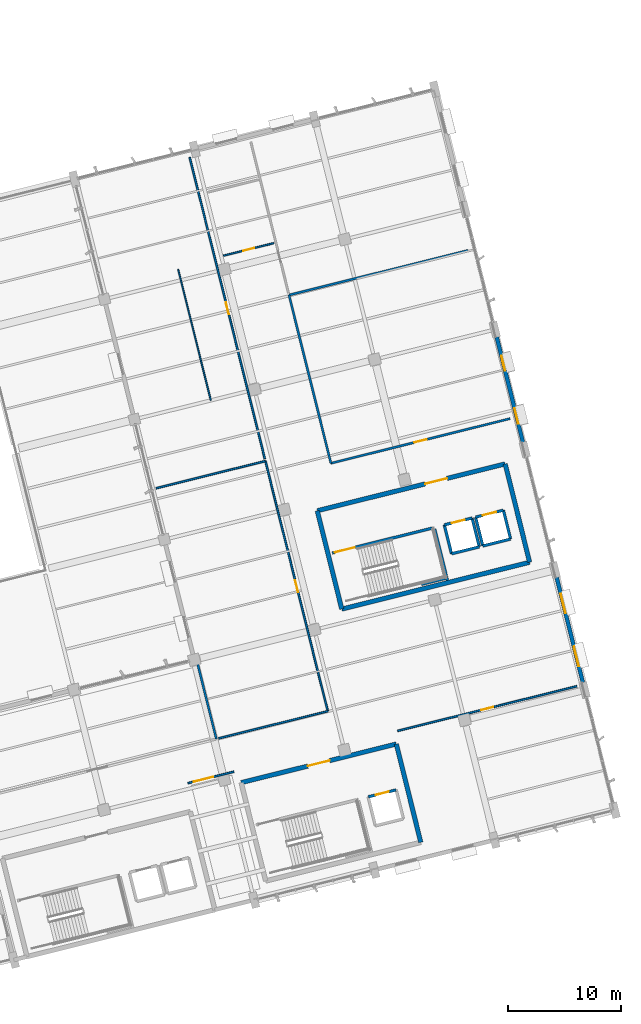
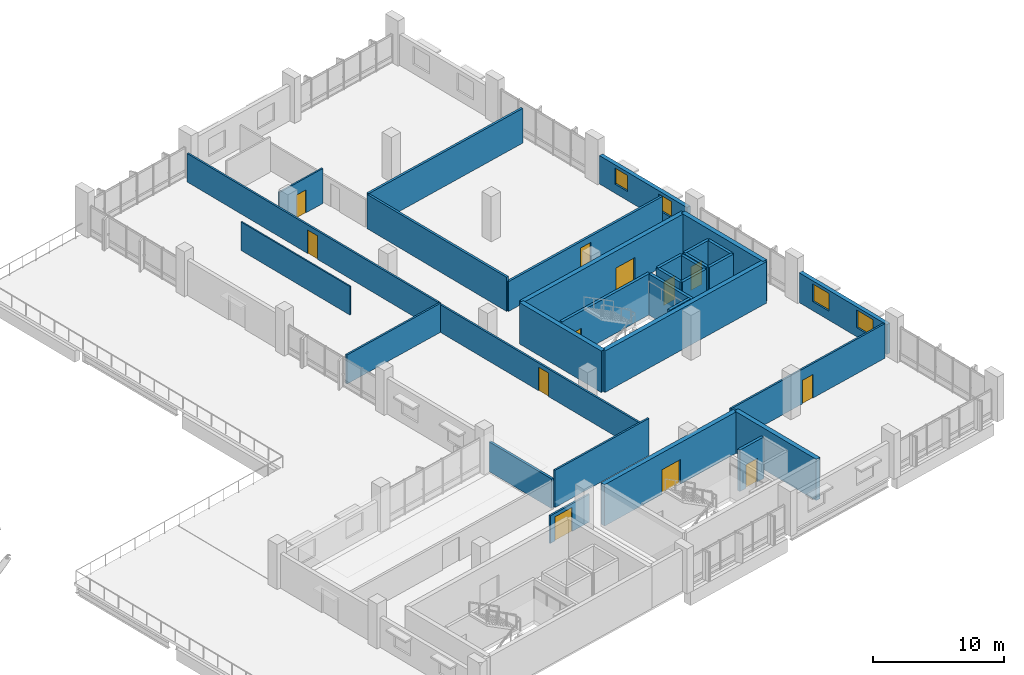
# One storey, part 68 of 75: 32 walls, 12 doors, 4 windows, 16 openings.
"""IFC4 building model written with IfcOpenShell, lengths in metres."""

import ifcopenshell
import ifcopenshell.guid

model = None  # the IFC model being written
_history = None  # IfcOwnerHistory: only IFC2X3 demands one
_inside = {}  # id of a spatial element -> (the spatial element, [elements in it])
_under = {}  # id of a project, library or spatial element -> (it, [spatial elements below it])
_declared = {}  # id of a project -> (the project, [libraries it declares])
_typed = {}  # id of a type object -> (the type object, [elements of that type])
_made_of = {}  # id of a material, layer set ... -> (it, [elements and type objects made of it])


def new_model(schema):
    """Start an empty IFC model of exactly this schema.

    Asked for "IFC4X3", IfcOpenShell would pick the latest addendum, in which some entities
    have other attributes; the version numbers below select the first issue.
    IFC2X3 requires an IfcOwnerHistory on every rooted entity: one is made here for all.
    """
    global model, _history
    if schema == "IFC4X3":
        model = ifcopenshell.file(schema_version=(4, 3, 0, 0))
    else:
        model = ifcopenshell.file(schema=schema)
    _inside.clear()
    _under.clear()
    _declared.clear()
    _typed.clear()
    _made_of.clear()
    _history = None
    if model.schema == "IFC2X3":
        org = make("IfcOrganization", Name="unknown")
        user = make(
            "IfcPersonAndOrganization",
            ThePerson=make("IfcPerson", FamilyName="unknown"),
            TheOrganization=org,
        )
        app = make(
            "IfcApplication",
            ApplicationDeveloper=org,
            Version="unknown",
            ApplicationFullName="unknown",
            ApplicationIdentifier="unknown",
        )
        _history = make(
            "IfcOwnerHistory",
            OwningUser=user,
            OwningApplication=app,
            ChangeAction="ADDED",
            CreationDate=0,
        )
    return model


def make(cls, **values):
    """One entity of the class cls with the attributes given. An attribute that is None is left unset."""
    return model.create_entity(
        cls, **{name: value for name, value in values.items() if value is not None}
    )


def rooted(cls, **values):
    """An entity with a GlobalId (a new one), such as an element, a storey or a relation."""
    return make(cls, GlobalId=ifcopenshell.guid.new(), OwnerHistory=_history, **values)


def si_unit(unit_type, name, prefix=None):
    """IfcSIUnit, for example si_unit("LENGTHUNIT", "METRE", prefix="MILLI")."""
    return make("IfcSIUnit", UnitType=unit_type, Prefix=prefix, Name=name)


def assignment(units):
    """IfcUnitAssignment: the units of a project."""
    return None if units is None else make("IfcUnitAssignment", Units=units)


def point(xyz):
    """IfcCartesianPoint."""
    return None if xyz is None else make("IfcCartesianPoint", Coordinates=xyz)


def direction(xyz):
    """IfcDirection."""
    return None if xyz is None else make("IfcDirection", DirectionRatios=xyz)


def frame(location, z_axis=None, x_axis=None):
    """IfcAxis2Placement3D, a coordinate frame: its origin and axes. An axis left out is left unset."""
    return make(
        "IfcAxis2Placement3D",
        Location=point(location),
        Axis=direction(z_axis),
        RefDirection=direction(x_axis),
    )


def frame_2d(location, x_axis=None):
    """IfcAxis2Placement2D, a coordinate frame in the plane: its origin and x axis."""
    return make(
        "IfcAxis2Placement2D", Location=point(location), RefDirection=direction(x_axis)
    )


def origin():
    """The frame at (0, 0, 0) with its axes left unset."""
    return frame((0.0, 0.0, 0.0))


def place(relative_to, where):
    """IfcLocalPlacement: puts the frame where relative to a parent placement (None: the world)."""
    return make(
        "IfcLocalPlacement", PlacementRelTo=relative_to, RelativePlacement=where
    )


def context(
    kind, dimensions, precision=None, world=None, true_north=None, identifier=None
):
    """IfcGeometricRepresentationContext, for example the 3D "Model" context."""
    return make(
        "IfcGeometricRepresentationContext",
        ContextIdentifier=identifier,
        ContextType=kind,
        CoordinateSpaceDimension=dimensions,
        Precision=precision,
        WorldCoordinateSystem=world,
        TrueNorth=true_north,
    )


def subcontext(parent, identifier, kind, view, scale=None):
    """IfcGeometricRepresentationSubContext, for example "Body" below "Model"."""
    return make(
        "IfcGeometricRepresentationSubContext",
        ContextIdentifier=identifier,
        ContextType=kind,
        ParentContext=parent,
        TargetScale=scale,
        TargetView=view,
    )


def project(units=None, contexts=None):
    """IfcProject with its units and contexts."""
    return rooted(
        "IfcProject",
        Name="project",
        RepresentationContexts=contexts,
        UnitsInContext=assignment(units),
    )


def spatial(cls, under=None, at=None, **own):
    """A site, building, storey or space (cls), placed at a placement, below another one or the project."""
    s = rooted(cls, ObjectPlacement=at, **own)
    if under is not None:
        _under.setdefault(under.id(), (under, []))[1].append(s)
    return s


def profile(cls, at=None, kind="AREA", **sizes):
    """A parametric profile (cls). Its sizes go by their IFC names, for example OverallWidth=200.0."""
    return make(cls, ProfileType=kind, Position=at, **sizes)


def rectangle(**sizes):
    """IfcRectangleProfileDef."""
    return profile("IfcRectangleProfileDef", **sizes)


def extrude(swept, where, along, depth):
    """IfcExtrudedAreaSolid: the profile swept, set in the frame where, extruded along a direction by depth."""
    return make(
        "IfcExtrudedAreaSolid",
        SweptArea=swept,
        Position=where,
        ExtrudedDirection=direction(along),
        Depth=depth,
    )


def shape(context_of_items, identifier, shape_type, items):
    """IfcShapeRepresentation: the items that make up one representation, for example the "Body"."""
    return make(
        "IfcShapeRepresentation",
        ContextOfItems=context_of_items,
        RepresentationIdentifier=identifier,
        RepresentationType=shape_type,
        Items=items,
    )


def material(Name=None, Category=None):
    """IfcMaterial."""
    return make("IfcMaterial", Name=Name, Category=Category)


def layer(
    of_material, thickness, ventilated=None, Name=None, Category=None, Priority=None
):
    """IfcMaterialLayer: one layer of a wall or slab, of a material (None: an air gap)."""
    return make(
        "IfcMaterialLayer",
        Material=of_material,
        LayerThickness=thickness,
        IsVentilated=ventilated,
        Name=Name,
        Category=Category,
        Priority=Priority,
    )


def layer_set(layers, Name=None):
    """IfcMaterialLayerSet."""
    return make("IfcMaterialLayerSet", MaterialLayers=layers, LayerSetName=Name)


def made_of(thing, what):
    """Note that an element or type object is made of a material, layer set ...; save() writes the relation."""
    if what is not None:
        _made_of.setdefault(what.id(), (what, []))[1].append(thing)
    return thing


def type_object(cls, material=None, **own):
    """A type object (cls), such as IfcWallType, which elements share."""
    return made_of(rooted(cls, **own), material)


def element(
    cls,
    number,
    at=None,
    inside=None,
    cuts=None,
    type_object=None,
    material=None,
    context=None,
    identifier="Body",
    shape_type=None,
    held_by="IfcProductDefinitionShape",
    body=None,
    shapes=None,
    **own,
):
    """One element of the class cls, such as IfcWall. Its Tag is "e" and its number.

    at: its placement. inside: the storey or other place that contains it. cuts: it is an
    opening in that element (IfcRelVoidsElement). A single representation is given by context,
    identifier, shape_type and body (its items); several are given by shapes. held_by: the class
    of the entity that holds the representations. save() writes the other relations.
    """
    e = rooted(cls, Tag="e%d" % number, ObjectPlacement=at, **own)
    if body is not None:
        shapes = [shape(context, identifier, shape_type, body)]
    if shapes is not None:
        e.Representation = make(held_by, Representations=shapes)
    if inside is not None:
        _inside.setdefault(inside.id(), (inside, []))[1].append(e)
    if cuts is not None:
        rooted(
            "IfcRelVoidsElement", RelatingBuildingElement=cuts, RelatedOpeningElement=e
        )
    if type_object is not None:
        _typed.setdefault(type_object.id(), (type_object, []))[1].append(e)
    return made_of(e, material)


def fill(opening, filler):
    """IfcRelFillsElement: the door or window that sits in an opening."""
    return rooted(
        "IfcRelFillsElement",
        RelatingOpeningElement=opening,
        RelatedBuildingElement=filler,
    )


def aggregate(whole, parts):
    """IfcRelAggregates: a whole, such as a stair, and the parts it consists of."""
    return rooted("IfcRelAggregates", RelatingObject=whole, RelatedObjects=parts)


def save(model, path):
    """Write the relations noted so far, then the file.

    IfcRelAggregates (storeys below a building ...), IfcRelContainedInSpatialStructure (elements
    in a storey), IfcRelDefinesByType, IfcRelAssociatesMaterial and IfcRelDeclares: one each for
    every whole, place, type object, material and project.
    """
    for whole, parts in _under.values():
        aggregate(whole, parts)
    for where, things in _inside.values():
        rooted(
            "IfcRelContainedInSpatialStructure",
            RelatedElements=things,
            RelatingStructure=where,
        )
    for kind, things in _typed.values():
        rooted("IfcRelDefinesByType", RelatedObjects=things, RelatingType=kind)
    for what, things in _made_of.values():
        rooted("IfcRelAssociatesMaterial", RelatedObjects=things, RelatingMaterial=what)
    for by, libraries in _declared.values():
        rooted("IfcRelDeclares", RelatingContext=by, RelatedDefinitions=libraries)
    model.write(path)


model = new_model("IFC4")

# Units and contexts
model_context = context("Model", 3, precision=1e-05, world=origin(), true_north=direction((0.0, 1.0)))
body_context = subcontext(model_context, "Body", "Model", "MODEL_VIEW")
ifc_project = project(units=[si_unit("LENGTHUNIT", "METRE"), si_unit("AREAUNIT", "SQUARE_METRE"), si_unit("VOLUMEUNIT", "CUBIC_METRE"), si_unit("PLANEANGLEUNIT", "RADIAN"), si_unit("MASSUNIT", "GRAM", prefix="KILO")], contexts=[model_context])

# Site, building, storey
site_placement = place(None, origin())
site = spatial("IfcSite", under=ifc_project, at=site_placement, CompositionType="ELEMENT")
building_placement = place(site_placement, origin())
building = spatial("IfcBuilding", under=site, at=building_placement, Name="Khorjan Park Terminus", CompositionType="ELEMENT")
storey_placement = place(building_placement, frame((0.0, 0.0, 16.2)))
storey = spatial("IfcBuildingStorey", under=building, at=storey_placement, Name="L03", CompositionType="ELEMENT", Elevation=16.2)

# Walls
ifc_material_1 = material(Name="Concrete C50/60", Category="concrete")
ifc_layer_1 = layer(ifc_material_1, 0.4)
ifc_layer_set_1 = layer_set([ifc_layer_1], Name="Concrete C50/60")
wall_type_1 = type_object("IfcWallType", Name="CW-40", PredefinedType="SHEAR", material=ifc_layer_set_1)
wall_1_placement = place(storey_placement, frame((205.7973, 35.8328, 0.0), z_axis=(0.0, 0.0, 1.0), x_axis=(0.970295179998, 0.241924086589, 0.0)))
element("IfcWall", 1, at=wall_1_placement, inside=storey, type_object=wall_type_1, Name="Operations North-East Firefighting Core concrete shear wall CW-40 (L03-E1)", PredefinedType="SHEAR", context=body_context, shape_type="SweptSolid", body=[
    extrude(rectangle(XDim=17.2, YDim=0.4, at=frame_2d((8.6, 0.0))), origin(), (0.0, 0.0, 1.0), 3.87),
])
wall_2_placement = place(storey_placement, frame((222.4864, 39.9939, 0.0), z_axis=(0.0, 0.0, 1.0), x_axis=(-0.241923808098, 0.970295249435, 0.0)))
element("IfcWall", 2, at=wall_2_placement, inside=storey, type_object=wall_type_1, Name="Operations North-East Firefighting Core concrete shear wall CW-40 (L03-E2)", PredefinedType="SHEAR", context=body_context, shape_type="SweptSolid", body=[
    extrude(rectangle(XDim=8.9999, YDim=0.4, at=frame_2d((4.5, 0.0))), origin(), (0.0, 0.0, 1.0), 3.87),
])

# Wall, opening, door
wall_3_placement = place(storey_placement, frame((220.3091, 48.7265, 0.0), z_axis=(0.0, 0.0, 1.0), x_axis=(-0.970296544738, -0.241918612906, 0.0)))
wall_3 = element("IfcWall", 3, at=wall_3_placement, inside=storey, type_object=wall_type_1, Name="Operations North-East Firefighting Core concrete shear wall CW-40 (L03-E3)", PredefinedType="SHEAR", context=body_context, shape_type="SweptSolid", body=[
    extrude(rectangle(XDim=17.2, YDim=0.4, at=frame_2d((8.6, 0.0))), origin(), (0.0, 0.0, 1.0), 3.87),
])
opening_1_placement = place(wall_3_placement, frame((5.32, 0.0, 0.0)))
opening_1 = element("IfcOpeningElement", 4, at=opening_1_placement, cuts=wall_3, Name="Opening FD-20", PredefinedType="OPENING", context=body_context, shape_type="SweptSolid", body=[
    extrude(rectangle(XDim=2.0, YDim=2.3, at=frame_2d((1.0, 1.15))), frame((0.0, 0.21, 0.0), z_axis=(0.0, -1.0, 0.0), x_axis=(1.0, 0.0, 0.0)), (0.0, 0.0, 1.0), 0.42),
])
ifc_material_2 = material(Name="Fire-Rated Steel Double Door", Category="steel")
door_type_1 = type_object("IfcDoorType", Name="FD-20", OperationType="NOTDEFINED", PredefinedType="DOOR", material=ifc_material_2)
door_1_placement = place(opening_1_placement, origin())
door_1 = element("IfcDoor", 5, at=door_1_placement, inside=storey, type_object=door_type_1, Name="Operations North-East Firefighting Core fire-rated exit door FD-20 (L03)", OperationType="DOUBLE_DOOR_SINGLE_SWING", OverallHeight=2.3, OverallWidth=2.0, PredefinedType="DOOR", context=body_context, shape_type="SweptSolid", body=[
    extrude(rectangle(XDim=2.0, YDim=2.3, at=frame_2d((1.0, 1.15))), frame((0.0, 0.025, 0.0), z_axis=(0.0, -1.0, 0.0), x_axis=(1.0, 0.0, 0.0)), (0.0, 0.0, 1.0), 0.05),
])
fill(opening_1, door_1)

# Walls
for number, where, z_axis, x_axis, name in (
    (6, (203.62, 44.5655, 0.0), (0.0, 0.0, 1.0), (0.241921199913, -0.97029589973, 0.0), "Operations North-East Firefighting Core concrete shear wall CW-40 (L03-E4)"),
    (7, (212.8177, 15.1158, 0.0), (0.0, 0.0, 1.0), (-0.241921199913, 0.97029589973, 0.0), "Operations Central Command Core concrete shear wall CW-40 (L03-E2)"),
):
    element("IfcWall", number, at=place(storey_placement, frame(where, z_axis=z_axis, x_axis=x_axis)), inside=storey, type_object=wall_type_1, Name=name, PredefinedType="SHEAR", context=body_context, shape_type="SweptSolid", body=[
        extrude(rectangle(XDim=9.0, YDim=0.4, at=frame_2d((4.5, 0.0))), origin(), (0.0, 0.0, 1.0), 3.87),
    ])

# Wall, opening, door
wall_4_placement = place(storey_placement, frame((210.6404, 23.8485, 0.0), z_axis=(0.0, 0.0, 1.0), x_axis=(-0.970295578967, -0.241922486422, 0.0)))
wall_4 = element("IfcWall", 8, at=wall_4_placement, inside=storey, type_object=wall_type_1, Name="Operations Central Command Core concrete shear wall CW-40 (L03-E3)", PredefinedType="SHEAR", context=body_context, shape_type="SweptSolid", body=[
    extrude(rectangle(XDim=14.2, YDim=0.4, at=frame_2d((7.1, 0.0))), origin(), (0.0, 0.0, 1.0), 3.87),
])
opening_2_placement = place(wall_4_placement, frame((6.1, 0.0, 0.0)))
opening_2 = element("IfcOpeningElement", 9, at=opening_2_placement, cuts=wall_4, Name="Opening FD-20", PredefinedType="OPENING", context=body_context, shape_type="SweptSolid", body=[
    extrude(rectangle(XDim=2.0, YDim=2.3, at=frame_2d((1.0, 1.15))), frame((0.0, 0.21, 0.0), z_axis=(0.0, -1.0, 0.0), x_axis=(1.0, 0.0, 0.0)), (0.0, 0.0, 1.0), 0.42),
])
door_2_placement = place(opening_2_placement, origin())
door_2 = element("IfcDoor", 10, at=door_2_placement, inside=storey, type_object=door_type_1, Name="Operations Central Command Core fire-rated exit door FD-20 (L03)", OperationType="DOUBLE_DOOR_SINGLE_SWING", OverallHeight=2.3, OverallWidth=2.0, PredefinedType="DOOR", context=body_context, shape_type="SweptSolid", body=[
    extrude(rectangle(XDim=2.0, YDim=2.3, at=frame_2d((1.0, 1.15))), frame((0.0, 0.025, 0.0), z_axis=(0.0, -1.0, 0.0), x_axis=(1.0, 0.0, 0.0)), (0.0, 0.0, 1.0), 0.05),
])
fill(opening_2, door_2)

# Wall, openings, windows
ifc_material_3 = material(Name="Pigmented Precast GRC & Concrete C40/50", Category="concrete")
ifc_layer_2 = layer(ifc_material_3, 0.35)
ifc_layer_set_2 = layer_set([ifc_layer_2], Name="Pigmented Precast GRC & Concrete C40/50")
wall_type_2 = type_object("IfcWallType", Name="EW-35", PredefinedType="STANDARD", material=ifc_layer_set_2)
wall_5_placement = place(storey_placement, frame((227.2175, 29.2853, 0.0), z_axis=(0.0, 0.0, 1.0), x_axis=(-0.241919949636, 0.970296211457, 0.0)))
wall_5 = element("IfcWall", 11, at=wall_5_placement, inside=storey, type_object=wall_type_2, Name="External pigmented-GRC insulated wall EW-35 (EW-V5-E-L03-B02)", PredefinedType="STANDARD", context=body_context, shape_type="SweptSolid", body=[
    extrude(rectangle(XDim=9.6697, YDim=0.35, at=frame_2d((4.8349, 0.0))), origin(), (0.0, 0.0, 1.0), 2.785),
])
opening_3_placement = place(wall_5_placement, frame((1.5174, 0.0, 0.85)))
opening_3 = element("IfcOpeningElement", 12, at=opening_3_placement, cuts=wall_5, Name="Opening WN-18", PredefinedType="OPENING", context=body_context, shape_type="SweptSolid", body=[
    extrude(rectangle(XDim=1.8, YDim=1.65, at=frame_2d((0.9, 0.825))), frame((0.0, 0.185, 0.0), z_axis=(0.0, -1.0, 0.0), x_axis=(1.0, 0.0, 0.0)), (0.0, 0.0, 1.0), 0.37),
])
opening_4_placement = place(wall_5_placement, frame((6.3523, 0.0, 0.85)))
opening_4 = element("IfcOpeningElement", 13, at=opening_4_placement, cuts=wall_5, Name="Opening WN-18", PredefinedType="OPENING", context=body_context, shape_type="SweptSolid", body=[
    extrude(rectangle(XDim=1.8, YDim=1.65, at=frame_2d((0.9, 0.825))), frame((0.0, 0.185, 0.0), z_axis=(0.0, -1.0, 0.0), x_axis=(1.0, 0.0, 0.0)), (0.0, 0.0, 1.0), 0.37),
])
ifc_material_4 = material(Name="Anodized Bronze Aluminium & Low-E Glass", Category="aluminium")
window_type_1 = type_object("IfcWindowType", Name="WN-18", PartitioningType="SINGLE_PANEL", PredefinedType="WINDOW", material=ifc_material_4)
window_1_placement = place(opening_3_placement, origin())
window_1 = element("IfcWindow", 14, at=window_1_placement, inside=storey, type_object=window_type_1, Name="Solar-control exterior window WN-18 (WN-EW-V5-E-L03-B02-1)", OverallHeight=1.65, OverallWidth=1.8, PartitioningType="SINGLE_PANEL", PredefinedType="WINDOW", context=body_context, shape_type="SweptSolid", body=[
    extrude(rectangle(XDim=1.8, YDim=1.65, at=frame_2d((0.9, 0.825))), frame((0.0, 0.03, 0.0), z_axis=(0.0, -1.0, 0.0), x_axis=(1.0, 0.0, 0.0)), (0.0, 0.0, 1.0), 0.06),
])
fill(opening_3, window_1)
window_2_placement = place(opening_4_placement, origin())
window_2 = element("IfcWindow", 15, at=window_2_placement, inside=storey, type_object=window_type_1, Name="Solar-control exterior window WN-18 (WN-EW-V5-E-L03-B02-2)", OverallHeight=1.65, OverallWidth=1.8, PartitioningType="SINGLE_PANEL", PredefinedType="WINDOW", context=body_context, shape_type="SweptSolid", body=[
    extrude(rectangle(XDim=1.8, YDim=1.65, at=frame_2d((0.9, 0.825))), frame((0.0, 0.03, 0.0), z_axis=(0.0, -1.0, 0.0), x_axis=(1.0, 0.0, 0.0)), (0.0, 0.0, 1.0), 0.06),
])
fill(opening_4, window_2)

wall_6_placement = place(storey_placement, frame((221.8951, 50.6322, 0.0), z_axis=(0.0, 0.0, 1.0), x_axis=(-0.241910213289, 0.970298638929, 0.0)))
wall_6 = element("IfcWall", 16, at=wall_6_placement, inside=storey, type_object=wall_type_2, Name="External pigmented-GRC insulated wall EW-35 (EW-V5-E-L03-B04)", PredefinedType="STANDARD", context=body_context, shape_type="SweptSolid", body=[
    extrude(rectangle(XDim=9.6697, YDim=0.35, at=frame_2d((4.8349, 0.0))), origin(), (0.0, 0.0, 1.0), 2.65),
])
opening_5_placement = place(wall_6_placement, frame((1.7174, 0.0, 0.85)))
opening_5 = element("IfcOpeningElement", 17, at=opening_5_placement, cuts=wall_6, Name="Opening WN-14", PredefinedType="OPENING", context=body_context, shape_type="SweptSolid", body=[
    extrude(rectangle(XDim=1.4, YDim=1.5, at=frame_2d((0.7, 0.75))), frame((0.0, 0.185, 0.0), z_axis=(0.0, -1.0, 0.0), x_axis=(1.0, 0.0, 0.0)), (0.0, 0.0, 1.0), 0.37),
])
opening_6_placement = place(wall_6_placement, frame((6.5523, 0.0, 0.85)))
opening_6 = element("IfcOpeningElement", 18, at=opening_6_placement, cuts=wall_6, Name="Opening WN-14", PredefinedType="OPENING", context=body_context, shape_type="SweptSolid", body=[
    extrude(rectangle(XDim=1.4, YDim=1.5, at=frame_2d((0.7, 0.75))), frame((0.0, 0.185, 0.0), z_axis=(0.0, -1.0, 0.0), x_axis=(1.0, 0.0, 0.0)), (0.0, 0.0, 1.0), 0.37),
])
window_type_2 = type_object("IfcWindowType", Name="WN-14", PartitioningType="SINGLE_PANEL", PredefinedType="WINDOW", material=ifc_material_4)
window_3_placement = place(opening_5_placement, origin())
window_3 = element("IfcWindow", 19, at=window_3_placement, inside=storey, type_object=window_type_2, Name="Solar-control exterior window WN-14 (WN-EW-V5-E-L03-B04-1)", OverallHeight=1.5, OverallWidth=1.4, PartitioningType="SINGLE_PANEL", PredefinedType="WINDOW", context=body_context, shape_type="SweptSolid", body=[
    extrude(rectangle(XDim=1.4, YDim=1.5, at=frame_2d((0.7, 0.75))), frame((0.0, 0.03, 0.0), z_axis=(0.0, -1.0, 0.0), x_axis=(1.0, 0.0, 0.0)), (0.0, 0.0, 1.0), 0.06),
])
fill(opening_5, window_3)
window_4_placement = place(opening_6_placement, origin())
window_4 = element("IfcWindow", 20, at=window_4_placement, inside=storey, type_object=window_type_2, Name="Solar-control exterior window WN-14 (WN-EW-V5-E-L03-B04-2)", OverallHeight=1.5, OverallWidth=1.4, PartitioningType="SINGLE_PANEL", PredefinedType="WINDOW", context=body_context, shape_type="SweptSolid", body=[
    extrude(rectangle(XDim=1.4, YDim=1.5, at=frame_2d((0.7, 0.75))), frame((0.0, 0.03, 0.0), z_axis=(0.0, -1.0, 0.0), x_axis=(1.0, 0.0, 0.0)), (0.0, 0.0, 1.0), 0.06),
])
fill(opening_6, window_4)

# Wall
ifc_material_5 = material(Name="Acoustic Operable Folding PartitionWall")
ifc_layer_3 = layer(ifc_material_5, 0.12)
ifc_layer_set_3 = layer_set([ifc_layer_3], Name="Acoustic Operable Folding PartitionWall")
wall_type_3 = type_object("IfcWallType", Name="MV-12", PredefinedType="MOVABLE", material=ifc_layer_set_3)
wall_7_placement = place(storey_placement, frame((194.1673, 54.3699, 0.0), z_axis=(0.0, 0.0, 1.0), x_axis=(-0.241925771257, 0.970294759958, 0.0)))
element("IfcWall", 21, at=wall_7_placement, inside=storey, type_object=wall_type_3, Name="Operable acoustic folding partition MV-12 (5)", PredefinedType="MOVABLE", context=body_context, shape_type="SweptSolid", body=[
    extrude(rectangle(XDim=12.0, YDim=0.12, at=frame_2d((6.0, 0.0))), origin(), (0.0, 0.0, 1.0), 2.665),
])

# Wall, opening, door
ifc_material_6 = material(Name="Moisture-Resistant Sanitary Partition")
ifc_layer_4 = layer(ifc_material_6, 0.14)
ifc_layer_set_4 = layer_set([ifc_layer_4], Name="Moisture-Resistant Sanitary Partition")
wall_type_4 = type_object("IfcWallType", Name="PT-14", PredefinedType="PARTITIONING", material=ifc_layer_set_4)
wall_8_placement = place(storey_placement, frame((199.7544, 68.3364, 0.0), z_axis=(0.0, 0.0, 1.0), x_axis=(-0.970297036469, -0.241916640643, 0.0)))
wall_8 = element("IfcWall", 22, at=wall_8_placement, inside=storey, type_object=wall_type_4, Name="Interior acoustic partition PT-14 (L03-AWC3)", PredefinedType="PARTITIONING", context=body_context, shape_type="SweptSolid", body=[
    extrude(rectangle(XDim=4.5999, YDim=0.14, at=frame_2d((2.2999, 0.0))), origin(), (0.0, 0.0, 1.0), 3.275),
])
opening_7_placement = place(wall_8_placement, frame((1.8, 0.0, 0.0)))
opening_7 = element("IfcOpeningElement", 23, at=opening_7_placement, cuts=wall_8, Name="Opening ID-10", PredefinedType="OPENING", context=body_context, shape_type="SweptSolid", body=[
    extrude(rectangle(XDim=1.0, YDim=2.15, at=frame_2d((0.5, 1.075))), frame((0.0, 0.08, 0.0), z_axis=(0.0, -1.0, 0.0), x_axis=(1.0, 0.0, 0.0)), (0.0, 0.0, 1.0), 0.16),
])
ifc_material_7 = material(Name="Acoustic Fire-Rated Single Door")
door_type_2 = type_object("IfcDoorType", Name="ID-10", OperationType="NOTDEFINED", PredefinedType="DOOR", material=ifc_material_7)
door_3_placement = place(opening_7_placement, origin())
door_3 = element("IfcDoor", 24, at=door_3_placement, inside=storey, type_object=door_type_2, Name="Interior door ID-10 (L03-AWC3)", OperationType="SINGLE_SWING_LEFT", OverallHeight=2.15, OverallWidth=1.0, PredefinedType="DOOR", context=body_context, shape_type="SweptSolid", body=[
    extrude(rectangle(XDim=1.0, YDim=2.15, at=frame_2d((0.5, 1.075))), frame((0.0, 0.025, 0.0), z_axis=(0.0, -1.0, 0.0), x_axis=(1.0, 0.0, 0.0)), (0.0, 0.0, 1.0), 0.05),
])
fill(opening_7, door_3)

ifc_material_8 = material(Name="Insulated Metal-Stud Acoustic Partition")
ifc_layer_5 = layer(ifc_material_8, 0.16)
ifc_layer_set_5 = layer_set([ifc_layer_5], Name="Insulated Metal-Stud Acoustic Partition")
wall_type_5 = type_object("IfcWallType", Name="PT-16", PredefinedType="PARTITIONING", material=ifc_layer_set_5)
wall_9_placement = place(storey_placement, frame((210.7624, 25.0126, 0.0), z_axis=(0.0, 0.0, 1.0), x_axis=(0.970295821368, 0.241921514207, 0.0)))
wall_9 = element("IfcWall", 25, at=wall_9_placement, inside=storey, type_object=wall_type_5, Name="Interior acoustic partition PT-16 (L03-IT)", PredefinedType="PARTITIONING", context=body_context, shape_type="SweptSolid", body=[
    extrude(rectangle(XDim=16.3999, YDim=0.16, at=frame_2d((8.1999, 0.0))), origin(), (0.0, 0.0, 1.0), 3.235),
])
opening_8_placement = place(wall_9_placement, frame((7.65, 0.0, 0.0)))
opening_8 = element("IfcOpeningElement", 26, at=opening_8_placement, cuts=wall_9, Name="Opening ID-11", PredefinedType="OPENING", context=body_context, shape_type="SweptSolid", body=[
    extrude(rectangle(XDim=1.1, YDim=2.2, at=frame_2d((0.55, 1.1))), frame((0.0, 0.09, 0.0), z_axis=(0.0, -1.0, 0.0), x_axis=(1.0, 0.0, 0.0)), (0.0, 0.0, 1.0), 0.18),
])
ifc_material_9 = material(Name="Acoustic Hardwood Single Door", Category="wood")
door_type_3 = type_object("IfcDoorType", Name="ID-11", OperationType="NOTDEFINED", PredefinedType="DOOR", material=ifc_material_9)
door_4_placement = place(opening_8_placement, origin())
door_4 = element("IfcDoor", 27, at=door_4_placement, inside=storey, type_object=door_type_3, Name="Interior door ID-11 (L03-IT)", OperationType="SINGLE_SWING_RIGHT", OverallHeight=2.2, OverallWidth=1.1, PredefinedType="DOOR", context=body_context, shape_type="SweptSolid", body=[
    extrude(rectangle(XDim=1.1, YDim=2.2, at=frame_2d((0.55, 1.1))), frame((0.0, 0.025, 0.0), z_axis=(0.0, -1.0, 0.0), x_axis=(1.0, 0.0, 0.0)), (0.0, 0.0, 1.0), 0.05),
])
fill(opening_8, door_4)

wall_10_placement = place(storey_placement, frame((192.1327, 20.3677, 0.0), z_axis=(0.0, 0.0, 1.0), x_axis=(0.970300555447, 0.241902526031, 0.0)))
wall_10 = element("IfcWall", 28, at=wall_10_placement, inside=storey, type_object=wall_type_5, Name="Interior acoustic partition PT-16 (L03-BRK)", PredefinedType="PARTITIONING", context=body_context, shape_type="SweptSolid", body=[
    extrude(rectangle(XDim=4.2, YDim=0.16, at=frame_2d((2.1, 0.0))), origin(), (0.0, 0.0, 1.0), 2.585),
])
opening_9_placement = place(wall_10_placement, frame((0.528, 0.0, 0.0)))
opening_9 = element("IfcOpeningElement", 29, at=opening_9_placement, cuts=wall_10, Name="Opening ID-18", PredefinedType="OPENING", context=body_context, shape_type="SweptSolid", body=[
    extrude(rectangle(XDim=1.8, YDim=2.25, at=frame_2d((0.9, 1.125))), frame((0.0, 0.09, 0.0), z_axis=(0.0, -1.0, 0.0), x_axis=(1.0, 0.0, 0.0)), (0.0, 0.0, 1.0), 0.18),
])
ifc_material_10 = material(Name="Acoustic Hardwood & Vision-Lite Double Door", Category="wood")
door_type_4 = type_object("IfcDoorType", Name="ID-18", OperationType="NOTDEFINED", PredefinedType="DOOR", material=ifc_material_10)
door_5_placement = place(opening_9_placement, origin())
door_5 = element("IfcDoor", 30, at=door_5_placement, inside=storey, type_object=door_type_4, Name="Interior door ID-18 (L03-BRK)", OperationType="DOUBLE_DOOR_SINGLE_SWING", OverallHeight=2.25, OverallWidth=1.8, PredefinedType="DOOR", context=body_context, shape_type="SweptSolid", body=[
    extrude(rectangle(XDim=1.8, YDim=2.25, at=frame_2d((0.9, 1.125))), frame((0.0, 0.025, 0.0), z_axis=(0.0, -1.0, 0.0), x_axis=(1.0, 0.0, 0.0)), (0.0, 0.0, 1.0), 0.05),
])
fill(opening_9, door_5)

wall_11_placement = place(storey_placement, frame((199.0146, 48.9825, 0.0), z_axis=(0.0, 0.0, 1.0), x_axis=(0.241922165924, -0.970295658877, 0.0)))
wall_11 = element("IfcWall", 31, at=wall_11_placement, inside=storey, type_object=wall_type_5, Name="Interior acoustic partition PT-16 (L03-PAX)", PredefinedType="PARTITIONING", context=body_context, shape_type="SweptSolid", body=[
    extrude(rectangle(XDim=22.8999, YDim=0.16, at=frame_2d((11.4499, 0.0))), origin(), (0.0, 0.0, 1.0), 2.585),
])
opening_10_placement = place(wall_11_placement, frame((10.9, 0.0, 0.0)))
opening_10 = element("IfcOpeningElement", 32, at=opening_10_placement, cuts=wall_11, Name="Opening ID-11", PredefinedType="OPENING", context=body_context, shape_type="SweptSolid", body=[
    extrude(rectangle(XDim=1.1, YDim=2.2, at=frame_2d((0.55, 1.1))), frame((0.0, 0.09, 0.0), z_axis=(0.0, -1.0, 0.0), x_axis=(1.0, 0.0, 0.0)), (0.0, 0.0, 1.0), 0.18),
])
door_6_placement = place(opening_10_placement, origin())
door_6 = element("IfcDoor", 33, at=door_6_placement, inside=storey, type_object=door_type_3, Name="Interior door ID-11 (L03-PAX)", OperationType="SINGLE_SWING_LEFT", OverallHeight=2.2, OverallWidth=1.1, PredefinedType="DOOR", context=body_context, shape_type="SweptSolid", body=[
    extrude(rectangle(XDim=1.1, YDim=2.2, at=frame_2d((0.55, 1.1))), frame((0.0, 0.025, 0.0), z_axis=(0.0, -1.0, 0.0), x_axis=(1.0, 0.0, 0.0)), (0.0, 0.0, 1.0), 0.05),
])
fill(opening_10, door_6)

# Walls
wall_12_placement = place(storey_placement, frame((204.5546, 26.7628, 0.0), z_axis=(0.0, 0.0, 1.0), x_axis=(-0.970294073996, -0.241928522438, 0.0)))
element("IfcWall", 34, at=wall_12_placement, inside=storey, type_object=wall_type_5, Name="Interior acoustic partition PT-16 (L03-PAX)", PredefinedType="PARTITIONING", context=body_context, shape_type="SweptSolid", body=[
    extrude(rectangle(XDim=10.0001, YDim=0.16, at=frame_2d((5.0, 0.0))), origin(), (0.0, 0.0, 1.0), 3.475),
])
wall_13_placement = place(storey_placement, frame((189.3116, 46.5633, 0.0), z_axis=(0.0, 0.0, 1.0), x_axis=(0.970296421359, 0.241919107756, 0.0)))
element("IfcWall", 35, at=wall_13_placement, inside=storey, type_object=wall_type_5, Name="Interior acoustic partition PT-16 (L03-PAX)", PredefinedType="PARTITIONING", context=body_context, shape_type="SweptSolid", body=[
    extrude(rectangle(XDim=10.0, YDim=0.16, at=frame_2d((5.0, 0.0))), origin(), (0.0, 0.0, 1.0), 2.715),
])

# Wall, opening, door
wall_14_placement = place(storey_placement, frame((192.2891, 75.9568, 0.0), z_axis=(0.0, 0.0, 1.0), x_axis=(0.241923472165, -0.970295333193, 0.0)))
wall_14 = element("IfcWall", 36, at=wall_14_placement, inside=storey, type_object=wall_type_5, Name="Interior acoustic partition PT-16 (L03-MTG)", PredefinedType="PARTITIONING", context=body_context, shape_type="SweptSolid", body=[
    extrude(rectangle(XDim=27.6001, YDim=0.16, at=frame_2d((13.8001, 0.0))), origin(), (0.0, 0.0, 1.0), 2.665),
])
opening_11_placement = place(wall_14_placement, frame((13.25, 0.0, 0.0)))
opening_11 = element("IfcOpeningElement", 37, at=opening_11_placement, cuts=wall_14, Name="Opening ID-11", PredefinedType="OPENING", context=body_context, shape_type="SweptSolid", body=[
    extrude(rectangle(XDim=1.1, YDim=2.2, at=frame_2d((0.55, 1.1))), frame((0.0, 0.09, 0.0), z_axis=(0.0, -1.0, 0.0), x_axis=(1.0, 0.0, 0.0)), (0.0, 0.0, 1.0), 0.18),
])
door_7_placement = place(opening_11_placement, origin())
door_7 = element("IfcDoor", 38, at=door_7_placement, inside=storey, type_object=door_type_3, Name="Interior door ID-11 (L03-MTG)", OperationType="SINGLE_SWING_RIGHT", OverallHeight=2.2, OverallWidth=1.1, PredefinedType="DOOR", context=body_context, shape_type="SweptSolid", body=[
    extrude(rectangle(XDim=1.1, YDim=2.2, at=frame_2d((0.55, 1.1))), frame((0.0, 0.025, 0.0), z_axis=(0.0, -1.0, 0.0), x_axis=(1.0, 0.0, 0.0)), (0.0, 0.0, 1.0), 0.05),
])
fill(opening_11, door_7)

# Wall
ifc_material_11 = material(Name="Fire-Rated Acoustic Masonry & Drywall", Category="masonry")
ifc_layer_6 = layer(ifc_material_11, 0.2)
ifc_layer_set_6 = layer_set([ifc_layer_6], Name="Fire-Rated Acoustic Masonry & Drywall")
wall_type_6 = type_object("IfcWallType", Name="PT-20", PredefinedType="PARTITIONING", material=ifc_layer_set_6)
wall_15_placement = place(storey_placement, frame((192.9883, 30.9902, 0.0), z_axis=(0.0, 0.0, 1.0), x_axis=(0.241928584312, -0.970294058568, 0.0)))
element("IfcWall", 39, at=wall_15_placement, inside=storey, type_object=wall_type_6, Name="Interior acoustic partition PT-20 (L03-SCADA)", PredefinedType="PARTITIONING", context=body_context, shape_type="SweptSolid", body=[
    extrude(rectangle(XDim=6.9, YDim=0.2, at=frame_2d((3.45, 0.0))), origin(), (0.0, 0.0, 1.0), 2.785),
])

# Wall, opening, door
wall_16_placement = place(storey_placement, frame((220.7482, 52.7523, 0.0), z_axis=(0.0, 0.0, 1.0), x_axis=(-0.970296178232, -0.241920082897, 0.0)))
wall_16 = element("IfcWall", 40, at=wall_16_placement, inside=storey, type_object=wall_type_6, Name="Interior acoustic partition PT-20 (L03-AHU3)", PredefinedType="PARTITIONING", context=body_context, shape_type="SweptSolid", body=[
    extrude(rectangle(XDim=16.4, YDim=0.2, at=frame_2d((8.2, 0.0))), origin(), (0.0, 0.0, 1.0), 2.785),
])
opening_12_placement = place(wall_16_placement, frame((7.65, 0.0, 0.0)))
opening_12 = element("IfcOpeningElement", 41, at=opening_12_placement, cuts=wall_16, Name="Opening FD-11", PredefinedType="OPENING", context=body_context, shape_type="SweptSolid", body=[
    extrude(rectangle(XDim=1.1, YDim=2.2, at=frame_2d((0.55, 1.1))), frame((0.0, 0.11, 0.0), z_axis=(0.0, -1.0, 0.0), x_axis=(1.0, 0.0, 0.0)), (0.0, 0.0, 1.0), 0.22),
])
ifc_material_12 = material(Name="Fire-Rated Steel Single Door", Category="steel")
door_type_5 = type_object("IfcDoorType", Name="FD-11", OperationType="NOTDEFINED", PredefinedType="DOOR", material=ifc_material_12)
door_8_placement = place(opening_12_placement, origin())
door_8 = element("IfcDoor", 42, at=door_8_placement, inside=storey, type_object=door_type_5, Name="Interior door FD-11 (L03-AHU3)", OperationType="SINGLE_SWING_LEFT", OverallHeight=2.2, OverallWidth=1.1, PredefinedType="DOOR", context=body_context, shape_type="SweptSolid", body=[
    extrude(rectangle(XDim=1.1, YDim=2.2, at=frame_2d((0.55, 1.1))), frame((0.0, 0.025, 0.0), z_axis=(0.0, -1.0, 0.0), x_axis=(1.0, 0.0, 0.0)), (0.0, 0.0, 1.0), 0.05),
])
fill(opening_12, door_8)

# Walls
wall_17_placement = place(storey_placement, frame((204.8353, 48.7848, 0.0), z_axis=(0.0, 0.0, 1.0), x_axis=(-0.241921368909, 0.970295857595, 0.0)))
element("IfcWall", 43, at=wall_17_placement, inside=storey, type_object=wall_type_6, Name="Interior acoustic partition PT-20 (L03-AHU3)", PredefinedType="PARTITIONING", context=body_context, shape_type="SweptSolid", body=[
    extrude(rectangle(XDim=15.4, YDim=0.2, at=frame_2d((7.7, 0.0))), origin(), (0.0, 0.0, 1.0), 3.195),
])
wall_18_placement = place(storey_placement, frame((201.1097, 63.7274, 0.0), z_axis=(0.0, 0.0, 1.0), x_axis=(0.970296178232, 0.241920082897, 0.0)))
element("IfcWall", 44, at=wall_18_placement, inside=storey, type_object=wall_type_6, Name="Interior acoustic partition PT-20 (L03-AHU3)", PredefinedType="PARTITIONING", context=body_context, shape_type="SweptSolid", body=[
    extrude(rectangle(XDim=16.4, YDim=0.2, at=frame_2d((8.2, 0.0))), origin(), (0.0, 0.0, 1.0), 3.245),
])
ifc_material_13 = material(Name="Concrete C40/50", Category="concrete")
ifc_layer_7 = layer(ifc_material_13, 0.25)
ifc_layer_set_7 = layer_set([ifc_layer_7], Name="Concrete C40/50")
wall_type_7 = type_object("IfcWallType", Name="SW-25", PredefinedType="SOLIDWALL", material=ifc_layer_set_7)
wall_19_placement = place(storey_placement, frame((215.548, 40.7477, 0.0), z_axis=(0.0, 0.0, 1.0), x_axis=(0.97029284861, 0.241933436994, 0.0)))
element("IfcWall", 45, at=wall_19_placement, inside=storey, type_object=wall_type_7, Name="Lift L07 concrete shaft wall SW-25 (L03-1)", PredefinedType="SOLIDWALL", context=body_context, shape_type="SweptSolid", body=[
    extrude(rectangle(XDim=2.54, YDim=0.25, at=frame_2d((1.27, 0.0))), origin(), (0.0, 0.0, 1.0), 3.87),
])
wall_20_placement = place(storey_placement, frame((218.0125, 41.3622, 0.0), z_axis=(0.0, 0.0, 1.0), x_axis=(-0.241938414856, 0.970291607413, 0.0)))
element("IfcWall", 46, at=wall_20_placement, inside=storey, type_object=wall_type_7, Name="Lift L07 concrete shaft wall SW-25 (L03-2)", PredefinedType="SOLIDWALL", context=body_context, shape_type="SweptSolid", body=[
    extrude(rectangle(XDim=2.6399, YDim=0.25, at=frame_2d((1.3199, 0.0))), origin(), (0.0, 0.0, 1.0), 3.87),
])

# Wall, opening, door
wall_21_placement = place(storey_placement, frame((217.3738, 43.9237, 0.0), z_axis=(0.0, 0.0, 1.0), x_axis=(-0.97029284861, -0.241933436994, 0.0)))
wall_21 = element("IfcWall", 47, at=wall_21_placement, inside=storey, type_object=wall_type_7, Name="Lift L07 concrete shaft wall SW-25 (L03-3)", PredefinedType="SOLIDWALL", context=body_context, shape_type="SweptSolid", body=[
    extrude(rectangle(XDim=2.54, YDim=0.25, at=frame_2d((1.27, 0.0))), origin(), (0.0, 0.0, 1.0), 3.87),
])
opening_13_placement = place(wall_21_placement, frame((0.67, 0.0, 0.0)))
opening_13 = element("IfcOpeningElement", 48, at=opening_13_placement, cuts=wall_21, Name="Opening LD-12", PredefinedType="OPENING", context=body_context, shape_type="SweptSolid", body=[
    extrude(rectangle(XDim=1.2, YDim=2.2, at=frame_2d((0.6, 1.1))), frame((0.0, 0.135, 0.0), z_axis=(0.0, -1.0, 0.0), x_axis=(1.0, 0.0, 0.0)), (0.0, 0.0, 1.0), 0.27),
])
ifc_material_14 = material(Name="Stainless-Steel Lift Landing Sliding Door", Category="steel")
door_type_6 = type_object("IfcDoorType", Name="LD-12", OperationType="NOTDEFINED", PredefinedType="DOOR", material=ifc_material_14)
door_9_placement = place(opening_13_placement, origin())
door_9 = element("IfcDoor", 49, at=door_9_placement, inside=storey, type_object=door_type_6, Name="Lift L07 sliding landing door LD-12 (L03)", OperationType="SLIDING_TO_LEFT", OverallHeight=2.2, OverallWidth=1.2, PredefinedType="DOOR", context=body_context, shape_type="SweptSolid", body=[
    extrude(rectangle(XDim=1.2, YDim=2.2, at=frame_2d((0.6, 1.1))), frame((0.0, 0.025, 0.0), z_axis=(0.0, -1.0, 0.0), x_axis=(1.0, 0.0, 0.0)), (0.0, 0.0, 1.0), 0.05),
])
fill(opening_13, door_9)

# Walls
wall_22_placement = place(storey_placement, frame((214.9093, 43.3092, 0.0), z_axis=(0.0, 0.0, 1.0), x_axis=(0.241938414856, -0.970291607413, 0.0)))
element("IfcWall", 50, at=wall_22_placement, inside=storey, type_object=wall_type_7, Name="Lift L07 concrete shaft wall SW-25 (L03-4)", PredefinedType="SOLIDWALL", context=body_context, shape_type="SweptSolid", body=[
    extrude(rectangle(XDim=2.6399, YDim=0.25, at=frame_2d((1.3199, 0.0))), origin(), (0.0, 0.0, 1.0), 3.87),
])
wall_23_placement = place(storey_placement, frame((218.323, 41.4396, 0.0), z_axis=(0.0, 0.0, 1.0), x_axis=(0.97029284861, 0.241933436994, 0.0)))
element("IfcWall", 51, at=wall_23_placement, inside=storey, type_object=wall_type_7, Name="Lift L08 concrete shaft wall SW-25 (L03-1)", PredefinedType="SOLIDWALL", context=body_context, shape_type="SweptSolid", body=[
    extrude(rectangle(XDim=2.54, YDim=0.25, at=frame_2d((1.27, 0.0))), origin(), (0.0, 0.0, 1.0), 3.87),
])
wall_24_placement = place(storey_placement, frame((220.7875, 42.0541, 0.0), z_axis=(0.0, 0.0, 1.0), x_axis=(-0.241938414856, 0.970291607413, 0.0)))
element("IfcWall", 52, at=wall_24_placement, inside=storey, type_object=wall_type_7, Name="Lift L08 concrete shaft wall SW-25 (L03-2)", PredefinedType="SOLIDWALL", context=body_context, shape_type="SweptSolid", body=[
    extrude(rectangle(XDim=2.6399, YDim=0.25, at=frame_2d((1.3199, 0.0))), origin(), (0.0, 0.0, 1.0), 3.87),
])

# Wall, opening, door
wall_25_placement = place(storey_placement, frame((220.1488, 44.6156, 0.0), z_axis=(0.0, 0.0, 1.0), x_axis=(-0.97029284861, -0.241933436994, 0.0)))
wall_25 = element("IfcWall", 53, at=wall_25_placement, inside=storey, type_object=wall_type_7, Name="Lift L08 concrete shaft wall SW-25 (L03-3)", PredefinedType="SOLIDWALL", context=body_context, shape_type="SweptSolid", body=[
    extrude(rectangle(XDim=2.54, YDim=0.25, at=frame_2d((1.27, 0.0))), origin(), (0.0, 0.0, 1.0), 3.87),
])
opening_14_placement = place(wall_25_placement, frame((0.67, 0.0, 0.0)))
opening_14 = element("IfcOpeningElement", 54, at=opening_14_placement, cuts=wall_25, Name="Opening LD-12", PredefinedType="OPENING", context=body_context, shape_type="SweptSolid", body=[
    extrude(rectangle(XDim=1.2, YDim=2.2, at=frame_2d((0.6, 1.1))), frame((0.0, 0.135, 0.0), z_axis=(0.0, -1.0, 0.0), x_axis=(1.0, 0.0, 0.0)), (0.0, 0.0, 1.0), 0.27),
])
door_10_placement = place(opening_14_placement, origin())
door_10 = element("IfcDoor", 55, at=door_10_placement, inside=storey, type_object=door_type_6, Name="Lift L08 sliding landing door LD-12 (L03)", OperationType="SLIDING_TO_RIGHT", OverallHeight=2.2, OverallWidth=1.2, PredefinedType="DOOR", context=body_context, shape_type="SweptSolid", body=[
    extrude(rectangle(XDim=1.2, YDim=2.2, at=frame_2d((0.6, 1.1))), frame((0.0, 0.025, 0.0), z_axis=(0.0, -1.0, 0.0), x_axis=(1.0, 0.0, 0.0)), (0.0, 0.0, 1.0), 0.05),
])
fill(opening_14, door_10)

# Wall
wall_26_placement = place(storey_placement, frame((217.6843, 44.0011, 0.0), z_axis=(0.0, 0.0, 1.0), x_axis=(0.241938414856, -0.970291607413, 0.0)))
element("IfcWall", 56, at=wall_26_placement, inside=storey, type_object=wall_type_7, Name="Lift L08 concrete shaft wall SW-25 (L03-4)", PredefinedType="SOLIDWALL", context=body_context, shape_type="SweptSolid", body=[
    extrude(rectangle(XDim=2.6399, YDim=0.25, at=frame_2d((1.3199, 0.0))), origin(), (0.0, 0.0, 1.0), 3.87),
])

# Wall, opening, door
wall_27_placement = place(storey_placement, frame((210.616, 19.7714, 0.0), z_axis=(0.0, 0.0, 1.0), x_axis=(-0.97029284861, -0.241933436994, 0.0)))
wall_27 = element("IfcWall", 57, at=wall_27_placement, inside=storey, type_object=wall_type_7, Name="Lift L12 concrete shaft wall SW-25 (L03-3)", PredefinedType="SOLIDWALL", context=body_context, shape_type="SweptSolid", body=[
    extrude(rectangle(XDim=2.54, YDim=0.25, at=frame_2d((1.27, 0.0))), origin(), (0.0, 0.0, 1.0), 3.87),
])
opening_15_placement = place(wall_27_placement, frame((0.67, 0.0, 0.0)))
opening_15 = element("IfcOpeningElement", 58, at=opening_15_placement, cuts=wall_27, Name="Opening LD-12", PredefinedType="OPENING", context=body_context, shape_type="SweptSolid", body=[
    extrude(rectangle(XDim=1.2, YDim=2.2, at=frame_2d((0.6, 1.1))), frame((0.0, 0.135, 0.0), z_axis=(0.0, -1.0, 0.0), x_axis=(1.0, 0.0, 0.0)), (0.0, 0.0, 1.0), 0.27),
])
door_11_placement = place(opening_15_placement, origin())
door_11 = element("IfcDoor", 59, at=door_11_placement, inside=storey, type_object=door_type_6, Name="Lift L12 sliding landing door LD-12 (L03)", OperationType="SLIDING_TO_LEFT", OverallHeight=2.2, OverallWidth=1.2, PredefinedType="DOOR", context=body_context, shape_type="SweptSolid", body=[
    extrude(rectangle(XDim=1.2, YDim=2.2, at=frame_2d((0.6, 1.1))), frame((0.0, 0.025, 0.0), z_axis=(0.0, -1.0, 0.0), x_axis=(1.0, 0.0, 0.0)), (0.0, 0.0, 1.0), 0.05),
])
fill(opening_15, door_11)

wall_28_placement = place(storey_placement, frame((204.9479, 40.8102, 0.0), z_axis=(0.0, 0.0, 1.0), x_axis=(0.970297151331, 0.241916179943, 0.0)))
wall_28 = element("IfcWall", 60, at=wall_28_placement, inside=storey, type_object=wall_type_7, Name="Operations North-East Firefighting Core structural stairwell wall SW-25 (L03)", PredefinedType="SOLIDWALL", context=body_context, shape_type="SweptSolid", body=[
    extrude(rectangle(XDim=9.345, YDim=0.25, at=frame_2d((4.6725, 0.0))), origin(), (0.0, 0.0, 1.0), 3.84),
])
opening_16_placement = place(wall_28_placement, frame((0.25, 0.0, 0.0)))
opening_16 = element("IfcOpeningElement", 61, at=opening_16_placement, cuts=wall_28, Name="Opening FD-18", PredefinedType="OPENING", context=body_context, shape_type="SweptSolid", body=[
    extrude(rectangle(XDim=1.8, YDim=2.25, at=frame_2d((0.9, 1.125))), frame((0.0, 0.135, 0.0), z_axis=(0.0, -1.0, 0.0), x_axis=(1.0, 0.0, 0.0)), (0.0, 0.0, 1.0), 0.27),
])
door_type_7 = type_object("IfcDoorType", Name="FD-18", OperationType="NOTDEFINED", PredefinedType="DOOR", material=ifc_material_2)
door_12_placement = place(opening_16_placement, origin())
door_12 = element("IfcDoor", 62, at=door_12_placement, inside=storey, type_object=door_type_7, Name="Operations North-East Firefighting Core stairwell fire door FD-18 (L03)", OperationType="DOUBLE_DOOR_SINGLE_SWING", OverallHeight=2.25, OverallWidth=1.8, PredefinedType="DOOR", context=body_context, shape_type="SweptSolid", body=[
    extrude(rectangle(XDim=1.8, YDim=2.25, at=frame_2d((0.9, 1.125))), frame((0.0, 0.025, 0.0), z_axis=(0.0, -1.0, 0.0), x_axis=(1.0, 0.0, 0.0)), (0.0, 0.0, 1.0), 0.05),
])
fill(opening_16, door_12)

# Walls
wall_29_placement = place(storey_placement, frame((215.185, 38.3795, 0.0), z_axis=(0.0, 0.0, 1.0), x_axis=(-0.241911120435, 0.970298412763, 0.0)))
element("IfcWall", 63, at=wall_29_placement, inside=storey, type_object=wall_type_7, Name="Operations North-East Firefighting Core stairwell end bearing wall SW-25 (L03)", PredefinedType="SOLIDWALL", context=body_context, shape_type="SweptSolid", body=[
    extrude(rectangle(XDim=4.71, YDim=0.25, at=frame_2d((2.355, 0.0))), origin(), (0.0, 0.0, 1.0), 3.84),
])
wall_30_placement = place(storey_placement, frame((212.8747, 38.0354, 0.0), z_axis=(0.0, 0.0, 1.0), x_axis=(0.97029738597, 0.241915238833, 0.0)))
element("IfcWall", 64, at=wall_30_placement, inside=storey, type_object=wall_type_7, Name="Operations North-East Firefighting Core half-landing bearing wall SW-25 (L03)", PredefinedType="SOLIDWALL", context=body_context, shape_type="SweptSolid", body=[
    extrude(rectangle(XDim=2.1999, YDim=0.25, at=frame_2d((1.0999, 0.0))), origin(), (0.0, 0.0, 1.0), 3.84),
])

save(model, "model.ifc")
